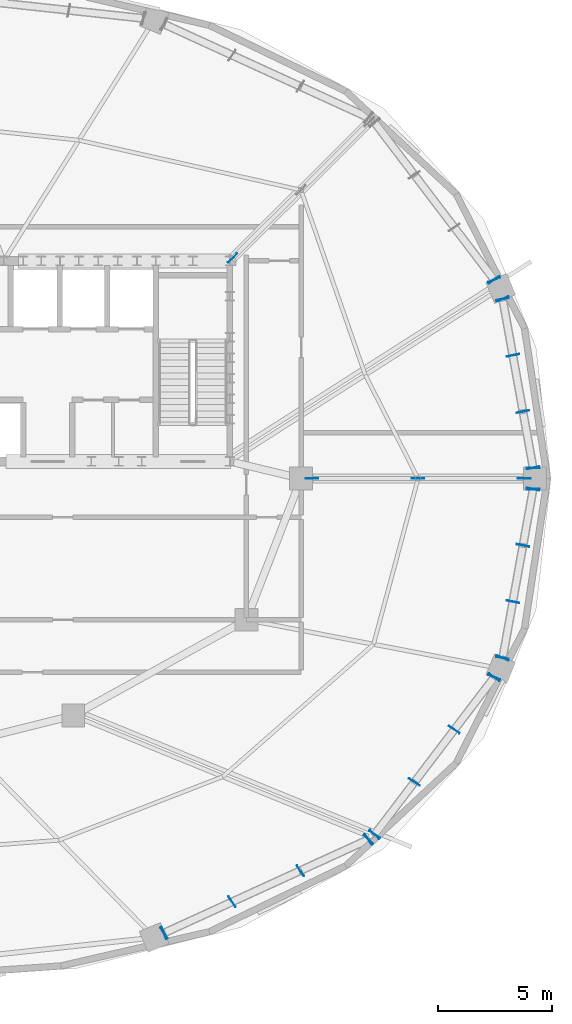
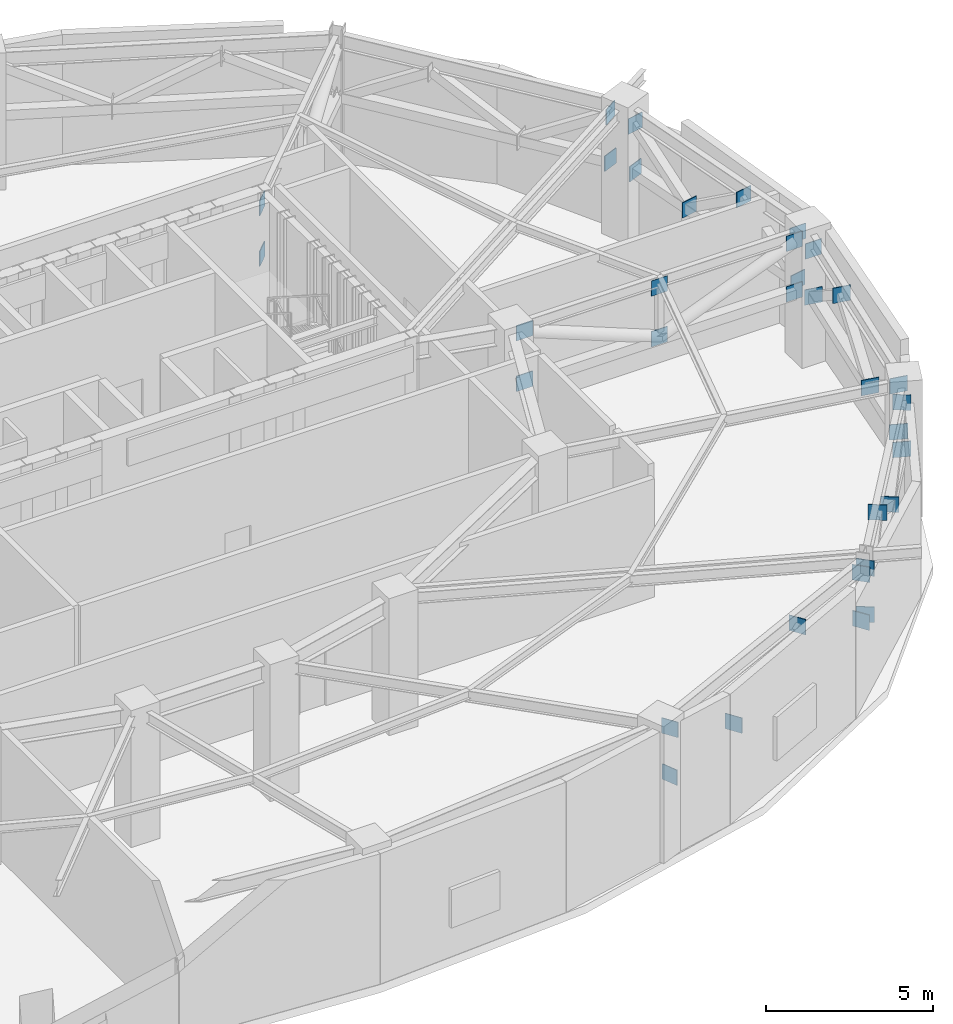
# One storey, part 11 of 20: 34 plates.
"""IFC4 building model written with IfcOpenShell, lengths in metres."""

from ifc_helpers import new_model, si_unit, direction, frame, origin, origin_2d, place, context, subcontext, project, spatial, rectangle, extrude, material, layer, layer_set, type_object, element, save


model = new_model("IFC4")

# Units and contexts
model_context = context("Model", 3, precision=1e-05, world=origin(), true_north=direction((0.0, 1.0)))
body_context = subcontext(model_context, "Body", "Model", "MODEL_VIEW")
ifc_project = project(units=[si_unit("LENGTHUNIT", "METRE"), si_unit("AREAUNIT", "SQUARE_METRE"), si_unit("VOLUMEUNIT", "CUBIC_METRE"), si_unit("PLANEANGLEUNIT", "RADIAN"), si_unit("MASSUNIT", "GRAM", prefix="KILO")], contexts=[model_context])

# Site, building, storey
site_placement = place(None, origin())
site = spatial("IfcSite", under=ifc_project, at=site_placement, CompositionType="ELEMENT")
building_placement = place(site_placement, origin())
building = spatial("IfcBuilding", under=site, at=building_placement, Name="Haldorwick Loom Tower", CompositionType="ELEMENT")
storey_placement = place(building_placement, frame((0.0, 0.0, 222.10009765625)))
storey = spatial("IfcBuildingStorey", under=building, at=storey_placement, Name="L60", CompositionType="ELEMENT", Elevation=222.10009765625)

# Plates
ifc_material = material(Name="Steel CSA G40.21 350W", Category="steel")
ifc_layer = layer(ifc_material, 0.028076171875, Name="Steel CSA G40.21 350W", Category="steel")
ifc_layer_set = layer_set([ifc_layer], Name="Steel CSA G40.21 350W")
plate_type = type_object("IfcPlateType", Name="STR-PLT-GUS28", PredefinedType="SHEET", material=ifc_layer_set)
for number, where, z_axis, x_axis, name in (
    (1, (63.382080078125, 26.467529296875, 2.219970703125), (0.0, 0.0, 1.0), (0.980785280403, 0.195090322016, 0.0), "L60 Truss Node Gusset Plate PLT-L60-BGUS-00-0A"),
    (2, (62.9365234375, 28.936767578125, 3.935791015625), (0.0, 0.0, 1.0), (0.980785280403, 0.195090322016, 0.0), "L60 Truss Node Gusset Plate PLT-L60-BGUS-00-0B"),
    (3, (62.490966796875, 31.40576171875, 2.219970703125), (0.0, 0.0, 1.0), (0.980785280403, 0.195090322016, 0.0), "L60 Truss Node Gusset Plate PLT-L60-BGUS-00-1B"),
    (4, (62.04541015625, 33.875, 3.935791015625), (0.0, 0.0, 1.0), (0.980785280403, 0.195090322016, 0.0), "L60 Truss Node Gusset Plate PLT-L60-BGUS-00-2B"),
    (5, (63.382080078125, 26.467529296875, 3.935791015625), (0.0, 0.0, 1.0), (1.0, 0.0, 0.0), "L60 Truss Node Gusset Plate PLT-L60-BGUS-00B"),
    (6, (62.04541015625, 33.875, 2.219970703125), (0.0, 0.0, 1.0), (0.923879532511, 0.382683432365, 0.0), "L60 Truss Node Gusset Plate PLT-L60-BGUS-00C"),
    (7, (61.673583984375, 34.720703125, 3.935791015625), (0.0, 0.0, 1.0), (0.831469612303, 0.55557023302, 0.0), "L60 Truss Node Gusset Plate PLT-L60-BGUS-01-0A"),
    (8, (61.673583984375, 34.720703125, 2.219970703125), (0.0, 0.0, 1.0), (0.923879532511, 0.382683432365, 0.0), "L60 Truss Node Gusset Plate PLT-L60-BGUS-01A"),
    (9, (47.185302734375, 6.056884765625, 3.935791015625), (0.0, 0.0, 1.0), (0.55557023302, -0.831469612303, 0.0), "L60 Truss Node Gusset Plate PLT-L60-BGUS-13-0A"),
    (10, (50.175537109375, 7.425048828125, 2.219970703125), (0.0, 0.0, 1.0), (0.55557023302, -0.831469612303, 0.0), "L60 Truss Node Gusset Plate PLT-L60-BGUS-13-0B"),
    (11, (53.16552734375, 8.79296875, 3.935791015625), (0.0, 0.0, 1.0), (0.55557023302, -0.831469612303, 0.0), "L60 Truss Node Gusset Plate PLT-L60-BGUS-13-1B"),
    (12, (56.15576171875, 10.160888671875, 2.219970703125), (0.0, 0.0, 1.0), (0.55557023302, -0.831469612303, 0.0), "L60 Truss Node Gusset Plate PLT-L60-BGUS-13-2B"),
    (13, (47.185302734375, 6.056884765625, 2.219970703125), (0.0, 0.0, 1.0), (0.382683432365, -0.923879532511, 0.0), "L60 Truss Node Gusset Plate PLT-L60-BGUS-13A"),
    (14, (56.15576171875, 10.160888671875, 3.935791015625), (0.0, 0.0, 1.0), (0.707106781187, -0.707106781187, 0.0), "L60 Truss Node Gusset Plate PLT-L60-BGUS-13D"),
    (15, (56.42529296875, 10.376708984375, 2.219970703125), (0.0, 0.0, 1.0), (0.831469612303, -0.55557023302, 0.0), "L60 Truss Node Gusset Plate PLT-L60-BGUS-14-0A"),
    (16, (58.1748046875, 12.677734375, 3.935791015625), (0.0, 0.0, 1.0), (0.831469612303, -0.55557023302, 0.0), "L60 Truss Node Gusset Plate PLT-L60-BGUS-14-0B"),
    (17, (59.924072265625, 14.978515625, 2.219970703125), (0.0, 0.0, 1.0), (0.831469612303, -0.55557023302, 0.0), "L60 Truss Node Gusset Plate PLT-L60-BGUS-14-1B"),
    (18, (61.673583984375, 17.279296875, 3.935791015625), (0.0, 0.0, 1.0), (0.831469612303, -0.55557023302, 0.0), "L60 Truss Node Gusset Plate PLT-L60-BGUS-14-2B"),
    (19, (56.42529296875, 10.376708984375, 3.935791015625), (0.0, 0.0, 1.0), (0.707106781187, -0.707106781187, 0.0), "L60 Truss Node Gusset Plate PLT-L60-BGUS-14B"),
    (20, (61.673583984375, 17.279296875, 2.219970703125), (0.0, 0.0, 1.0), (0.923879532511, -0.382683432365, 0.0), "L60 Truss Node Gusset Plate PLT-L60-BGUS-14C"),
    (21, (62.04541015625, 18.125, 3.935791015625), (0.0, 0.0, 1.0), (-0.980785280403, 0.195090322016, 0.0), "L60 Truss Node Gusset Plate PLT-L60-BGUS-15-0A"),
    (22, (62.490966796875, 20.59423828125, 2.219970703125), (0.0, 0.0, 1.0), (-0.980785280403, 0.195090322016, 0.0), "L60 Truss Node Gusset Plate PLT-L60-BGUS-15-0B"),
    (23, (62.9365234375, 23.063232421875, 3.935791015625), (0.0, 0.0, 1.0), (-0.980785280403, 0.195090322016, 0.0), "L60 Truss Node Gusset Plate PLT-L60-BGUS-15-1B"),
    (24, (63.382080078125, 25.532470703125, 2.219970703125), (0.0, 0.0, 1.0), (-0.980785280403, 0.195090322016, 0.0), "L60 Truss Node Gusset Plate PLT-L60-BGUS-15-2B"),
    (25, (62.04541015625, 18.125, 2.219970703125), (0.0, 0.0, 1.0), (0.923879532511, -0.382683432365, 0.0), "L60 Truss Node Gusset Plate PLT-L60-BGUS-15A"),
    (26, (63.382080078125, 25.532470703125, 3.935791015625), (0.0, 0.0, 1.0), (1.0, 0.0, 0.0), "L60 Truss Node Gusset Plate PLT-L60-BGUS-15D"),
    (27, (53.675048828125, 26.0, 2.219970703125), (0.0, 0.0, 1.0), (1.0, 0.0, 0.0), "L60 Truss Node Gusset Plate PLT-L60-OT-E-CB0"),
    (28, (53.675048828125, 26.0, 4.06689453125), (0.0, 0.0, 1.0), (1.0, 0.0, 0.0), "L60 Truss Node Gusset Plate PLT-L60-OT-E-CT0"),
    (29, (58.333251953125, 26.0, 2.219970703125), (0.0, 0.0, 1.0), (1.0, 0.0, 0.0), "L60 Truss Node Gusset Plate PLT-L60-OT-E-MB0"),
    (30, (58.333251953125, 26.0, 4.06689453125), (0.0, 0.0, 1.0), (1.0, 0.0, 0.0), "L60 Truss Node Gusset Plate PLT-L60-OT-E-MT0"),
    (31, (62.991455078125, 26.0, 2.219970703125), (0.0, 0.0, 1.0), (1.0, 0.0, 0.0), "L60 Truss Node Gusset Plate PLT-L60-OT-E-PB0"),
    (32, (62.991455078125, 26.0, 4.06689453125), (0.0, 0.0, 1.0), (1.0, 0.0, 0.0), "L60 Truss Node Gusset Plate PLT-L60-OT-E-PT0"),
    (33, (50.1962890625, 35.675537109375, 2.219970703125), (0.0, 0.0, 1.0), (0.707106781187, 0.707106781187, 0.0), "L60 Truss Node Gusset Plate PLT-L60-OT-NE-CB0"),
    (34, (50.1962890625, 35.675537109375, 4.06689453125), (0.0, 0.0, 1.0), (0.707106781187, 0.707106781187, 0.0), "L60 Truss Node Gusset Plate PLT-L60-OT-NE-CT0"),
):
    element("IfcPlate", number, at=place(storey_placement, frame(where, z_axis=z_axis, x_axis=x_axis)), inside=storey, type_object=plate_type, Name=name, PredefinedType="SHEET", context=body_context, shape_type="SweptSolid", body=[
        extrude(rectangle(XDim=0.56005859375, YDim=0.028076171875, at=origin_2d()), origin(), (0.0, 0.0, 1.0), 0.56005859375),
    ])

save(model, "model.ifc")
